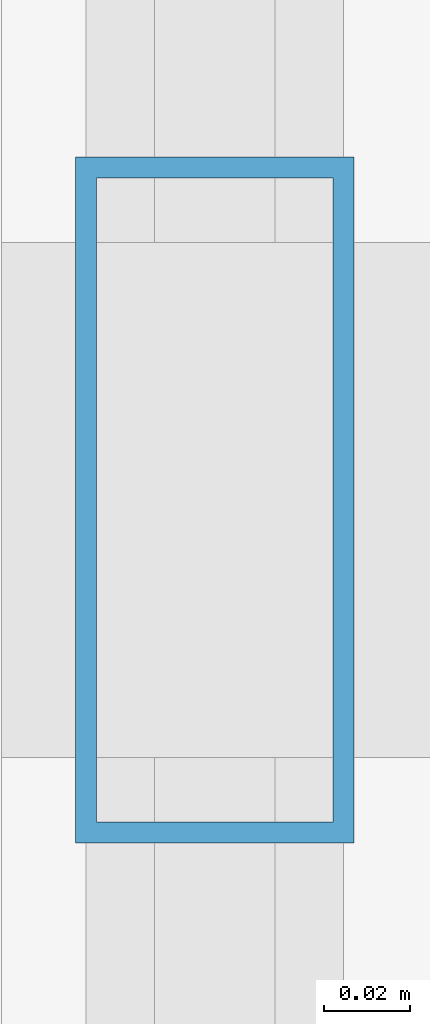
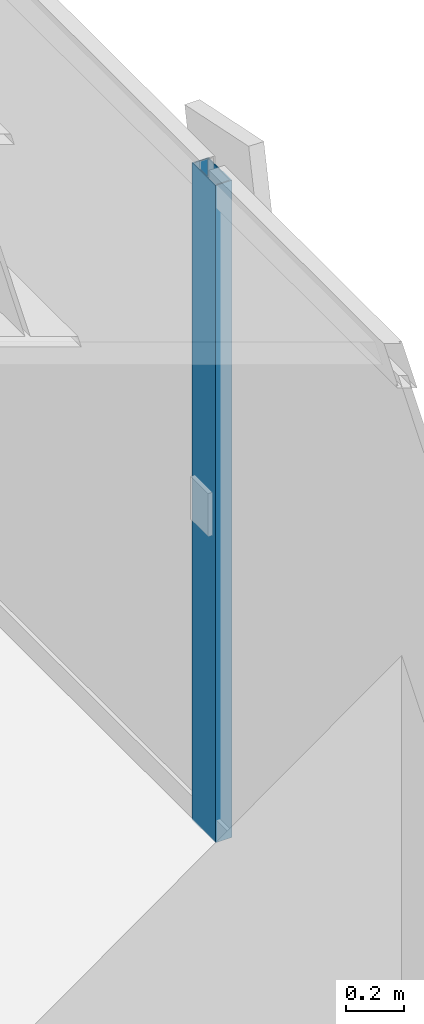
# One storey, part 11 of 28: 1 member, 1 element without a shape of its own.
"""IFC4 building model written with IfcOpenShell, lengths in metres."""

from ifc_helpers import new_model, si_unit, direction, frame, origin, origin_2d, place, context, subcontext, project, spatial, hollow_rectangle, extrude, source, transform, mapped, material, layer, layer_set, material_profile, profile_set, type_object, element, aggregate, save


model = new_model("IFC4")

# Units and contexts
model_context = context("Model", 3, precision=1e-05, world=origin(), true_north=direction((0.0, 1.0)))
body_context = subcontext(model_context, "Body", "Model", "MODEL_VIEW")
ifc_project = project(units=[si_unit("LENGTHUNIT", "METRE"), si_unit("AREAUNIT", "SQUARE_METRE"), si_unit("VOLUMEUNIT", "CUBIC_METRE"), si_unit("PLANEANGLEUNIT", "RADIAN"), si_unit("MASSUNIT", "GRAM", prefix="KILO")], contexts=[model_context])

# Site, building, storey
site_placement = place(None, origin())
site = spatial("IfcSite", under=ifc_project, at=site_placement, CompositionType="ELEMENT")
building_placement = place(site_placement, origin())
building = spatial("IfcBuilding", under=site, at=building_placement, Name="Sumidabori Civic Tower", CompositionType="ELEMENT")
storey_placement = place(building_placement, frame((0.0, 0.0, 182.0)))
storey = spatial("IfcBuildingStorey", under=building, at=storey_placement, Name="L47", CompositionType="ELEMENT", Elevation=182.0)

# Curtain wall, member
ifc_material = material(Name="Anodised Bronze Aluminium AW-6063-T6", Category="aluminium")
ifc_layer = layer(ifc_material, 0.179931640625, Name="Anodised Bronze Aluminium AW-6063-T6")
ifc_layer_set = layer_set([ifc_layer], Name="Anodised Bronze Aluminium AW-6063-T6")
curtain_wall_type = type_object("IfcCurtainWallType", Name="CW-SYS-3", PredefinedType="NOTDEFINED", material=ifc_layer_set)
curtain_wall_placement = place(storey_placement, origin())
curtain_wall = element("IfcCurtainWall", 1, at=curtain_wall_placement, inside=storey, type_object=curtain_wall_type, Name="Curtain Wall CW:L47:R04", PredefinedType="NOTDEFINED")
ifc_material_profile = material_profile(ifc_material, hollow_rectangle(XDim=0.06494140625, YDim=0.159912109375, WallThickness=0.0048828125, at=origin_2d()), Name="ALU MULLION 160x65")
ifc_profile_set = profile_set([ifc_material_profile], Name="Anodised Bronze Aluminium AW-6063-T6")
member_type = type_object("IfcMemberType", Name="CW-MUL-160", PredefinedType="MULLION", material=ifc_profile_set)
shared_shape = source(origin(), body_context, "Body", "SweptSolid", [
    extrude(hollow_rectangle(XDim=0.06494140625, YDim=0.159912109375, WallThickness=0.0048828125, at=origin_2d()), origin(), (0.0, 0.0, 1.0), 2.760009765625),
])
member_placement = place(storey_placement, frame((23.8798828125, -8.2099609375, 0.0), z_axis=(0.0, 0.0, 1.0), x_axis=(-1.0, 0.0, 0.0)))
member = element("IfcMember", 2, at=member_placement, type_object=member_type, Name="CW-3 mullion 2", PredefinedType="MULLION", context=body_context, shape_type="MappedRepresentation", body=[
    mapped(shared_shape, transform((0.0, 0.0, 0.0), x_axis=(1.0, 0.0, 0.0), y_axis=(0.0, 1.0, 0.0), z_axis=(0.0, 0.0, 1.0), scale=1.0)),
])
aggregate(curtain_wall, [member])

save(model, "model.ifc")
